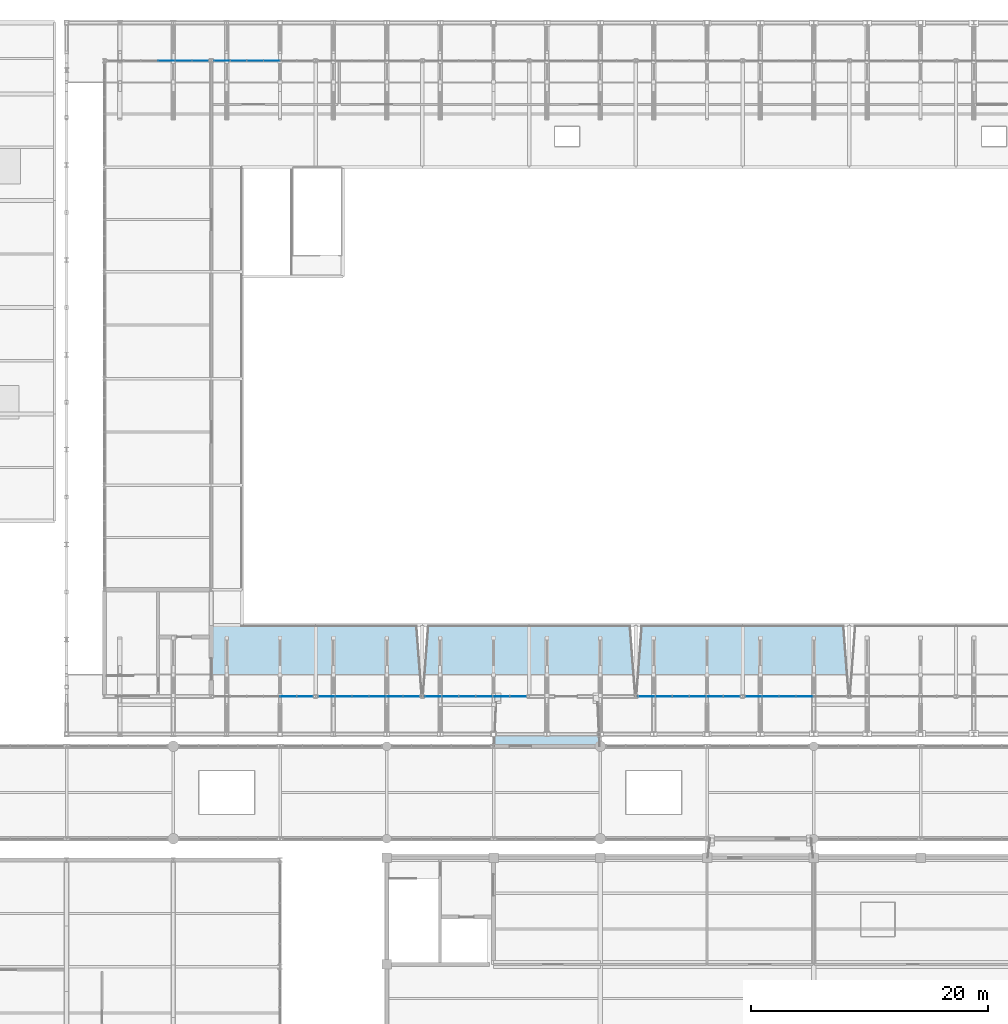
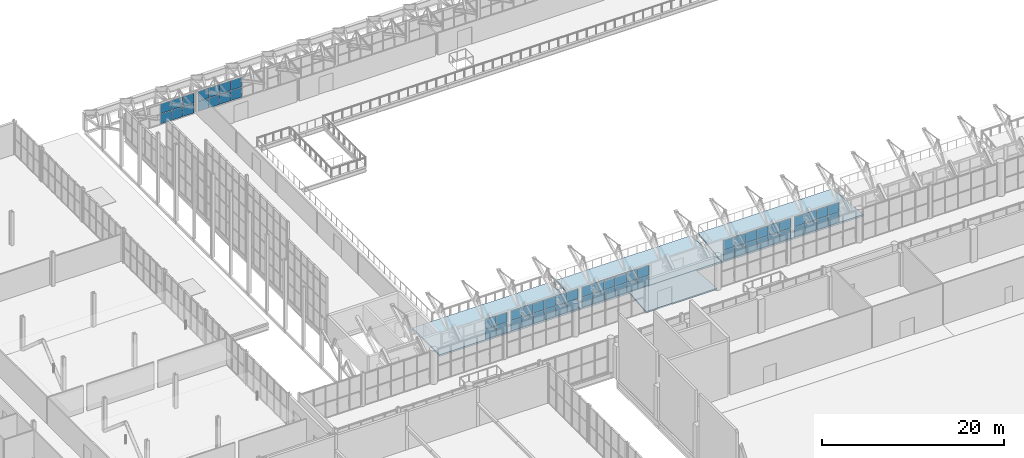
# One storey, part 98 of 134: 62 plates, 4 slabs, 7 elements without a shape of their own.
"""IFC4 building model written with IfcOpenShell, lengths in metres."""

from ifc_helpers import new_model, si_unit, direction, frame, origin, origin_2d, place, context, subcontext, project, spatial, polyline, rectangle, outline, extrude, material, layer, layer_set, type_object, element, aggregate, save


model = new_model("IFC4")

# Units and contexts
model_context = context("Model", 3, precision=1e-05, world=origin(), true_north=direction((0.0, 1.0)))
body_context = subcontext(model_context, "Body", "Model", "MODEL_VIEW")
ifc_project = project(units=[si_unit("LENGTHUNIT", "METRE"), si_unit("AREAUNIT", "SQUARE_METRE"), si_unit("VOLUMEUNIT", "CUBIC_METRE"), si_unit("PLANEANGLEUNIT", "RADIAN"), si_unit("MASSUNIT", "GRAM", prefix="KILO")], contexts=[model_context])

# Site, building, storey
site_placement = place(None, origin())
site = spatial("IfcSite", under=ifc_project, at=site_placement, CompositionType="ELEMENT")
building_placement = place(site_placement, origin())
building = spatial("IfcBuilding", under=site, at=building_placement, Name="Cazmaro Siding Exhibition Halls", CompositionType="ELEMENT")
storey_placement = place(building_placement, frame((0.0, 0.0, 12.0)))
storey = spatial("IfcBuildingStorey", under=building, at=storey_placement, Name="L02", CompositionType="ELEMENT", Elevation=12.0)

# Curtain wall, plates
ifc_material_1 = material(Name="Anodized Bronze Aluminum and Solar-Control Low-E Glazing", Category="aluminium")
ifc_layer_1 = layer(ifc_material_1, 0.159912109375)
ifc_layer_set_1 = layer_set([ifc_layer_1], Name="Anodized Bronze Aluminum and Solar-Control Low-E Glazing")
curtain_wall_type = type_object("IfcCurtainWallType", Name="CWS-04", PredefinedType="USERDEFINED", material=ifc_layer_set_1)
curtain_wall_1_placement = place(storey_placement, origin())
curtain_wall_1 = element("IfcCurtainWall", 1, at=curtain_wall_1_placement, inside=storey, type_object=curtain_wall_type, Name="Clerestory Curtain Wall CWS-04 CW-002", ObjectType="CLERESTORY CURTAIN WALL", PredefinedType="USERDEFINED")
ifc_material_2 = material(Name="Solar-Control Low-E Double Insulating Glass", Category="glass")
ifc_layer_2 = layer(ifc_material_2, 0.028076171875)
ifc_layer_set_2 = layer_set([ifc_layer_2], Name="Solar-Control Low-E Double Insulating Glass")
plate_type = type_object("IfcPlateType", Name="CWP-04", PredefinedType="CURTAIN_PANEL", material=ifc_layer_set_2)
plate_1_placement = place(storey_placement, frame((56.270751953125, 120.800048828125, 0.06005859375), z_axis=(0.0, 0.0, 1.0), x_axis=(-1.0, 0.0, 0.0)))
plate_1 = element("IfcPlate", 2, at=plate_1_placement, type_object=plate_type, Name="CWS-04 panel 1.1", PredefinedType="CURTAIN_PANEL", context=body_context, shape_type="SweptSolid", body=[
    extrude(rectangle(XDim=1.34423828125, YDim=0.028076171875, at=origin_2d()), origin(), (0.0, 0.0, 1.0), 1.31005859375),
])
plate_2_placement = place(storey_placement, frame((56.270751953125, 120.800048828125, 1.429931640625), z_axis=(0.0, 0.0, 1.0), x_axis=(-1.0, 0.0, 0.0)))
plate_2 = element("IfcPlate", 3, at=plate_2_placement, type_object=plate_type, Name="CWS-04 panel 1.2", PredefinedType="CURTAIN_PANEL", context=body_context, shape_type="SweptSolid", body=[
    extrude(rectangle(XDim=1.34423828125, YDim=0.028076171875, at=origin_2d()), origin(), (0.0, 0.0, 1.0), 1.31005859375),
])
plate_3_placement = place(storey_placement, frame((54.8515625, 120.800048828125, 0.06005859375), z_axis=(0.0, 0.0, 1.0), x_axis=(-1.0, 0.0, 0.0)))
plate_3 = element("IfcPlate", 4, at=plate_3_placement, type_object=plate_type, Name="CWS-04 panel 2.1", PredefinedType="CURTAIN_PANEL", context=body_context, shape_type="SweptSolid", body=[
    extrude(rectangle(XDim=1.374267578125, YDim=0.028076171875, at=origin_2d()), origin(), (0.0, 0.0, 1.0), 1.31005859375),
])
plate_4_placement = place(storey_placement, frame((54.8515625, 120.800048828125, 1.429931640625), z_axis=(0.0, 0.0, 1.0), x_axis=(-1.0, 0.0, 0.0)))
plate_4 = element("IfcPlate", 5, at=plate_4_placement, type_object=plate_type, Name="CWS-04 panel 2.2", PredefinedType="CURTAIN_PANEL", context=body_context, shape_type="SweptSolid", body=[
    extrude(rectangle(XDim=1.374267578125, YDim=0.028076171875, at=origin_2d()), origin(), (0.0, 0.0, 1.0), 1.31005859375),
])
plate_5_placement = place(storey_placement, frame((53.417236328125, 120.800048828125, 0.06005859375), z_axis=(0.0, 0.0, 1.0), x_axis=(-1.0, 0.0, 0.0)))
plate_5 = element("IfcPlate", 6, at=plate_5_placement, type_object=plate_type, Name="CWS-04 panel 3.1", PredefinedType="CURTAIN_PANEL", context=body_context, shape_type="SweptSolid", body=[
    extrude(rectangle(XDim=1.374267578125, YDim=0.028076171875, at=origin_2d()), origin(), (0.0, 0.0, 1.0), 1.31005859375),
])
plate_6_placement = place(storey_placement, frame((53.417236328125, 120.800048828125, 1.429931640625), z_axis=(0.0, 0.0, 1.0), x_axis=(-1.0, 0.0, 0.0)))
plate_6 = element("IfcPlate", 7, at=plate_6_placement, type_object=plate_type, Name="CWS-04 panel 3.2", PredefinedType="CURTAIN_PANEL", context=body_context, shape_type="SweptSolid", body=[
    extrude(rectangle(XDim=1.374267578125, YDim=0.028076171875, at=origin_2d()), origin(), (0.0, 0.0, 1.0), 1.31005859375),
])
aggregate(curtain_wall_1, [plate_1, plate_2, plate_3, plate_4, plate_5, plate_6])

curtain_wall_2_placement = place(storey_placement, origin())
curtain_wall_2 = element("IfcCurtainWall", 8, at=curtain_wall_2_placement, inside=storey, type_object=curtain_wall_type, Name="Clerestory Curtain Wall CWS-04 CW-005", ObjectType="CLERESTORY CURTAIN WALL", PredefinedType="USERDEFINED")
plate_7_placement = place(storey_placement, frame((63.701416015625, 67.199951171875, 0.06005859375), z_axis=(0.0, 0.0, 1.0), x_axis=(1.0, 0.0, 0.0)))
plate_7 = element("IfcPlate", 9, at=plate_7_placement, type_object=plate_type, Name="CWS-04 panel 5.1", PredefinedType="CURTAIN_PANEL", context=body_context, shape_type="SweptSolid", body=[
    extrude(rectangle(XDim=1.341064453125, YDim=0.028076171875, at=origin_2d()), origin(), (0.0, 0.0, 1.0), 1.31005859375),
])
plate_8_placement = place(storey_placement, frame((63.701416015625, 67.199951171875, 1.429931640625), z_axis=(0.0, 0.0, 1.0), x_axis=(1.0, 0.0, 0.0)))
plate_8 = element("IfcPlate", 10, at=plate_8_placement, type_object=plate_type, Name="CWS-04 panel 5.2", PredefinedType="CURTAIN_PANEL", context=body_context, shape_type="SweptSolid", body=[
    extrude(rectangle(XDim=1.341064453125, YDim=0.028076171875, at=origin_2d()), origin(), (0.0, 0.0, 1.0), 1.31005859375),
])
plate_9_placement = place(storey_placement, frame((65.08740234375, 67.199951171875, 0.06005859375), z_axis=(0.0, 0.0, 1.0), x_axis=(1.0, 0.0, 0.0)))
plate_9 = element("IfcPlate", 11, at=plate_9_placement, type_object=plate_type, Name="CWS-04 panel 6.1", PredefinedType="CURTAIN_PANEL", context=body_context, shape_type="SweptSolid", body=[
    extrude(rectangle(XDim=1.31103515625, YDim=0.028076171875, at=origin_2d()), origin(), (0.0, 0.0, 1.0), 1.31005859375),
])
plate_10_placement = place(storey_placement, frame((65.08740234375, 67.199951171875, 1.429931640625), z_axis=(0.0, 0.0, 1.0), x_axis=(1.0, 0.0, 0.0)))
plate_10 = element("IfcPlate", 12, at=plate_10_placement, type_object=plate_type, Name="CWS-04 panel 6.2", PredefinedType="CURTAIN_PANEL", context=body_context, shape_type="SweptSolid", body=[
    extrude(rectangle(XDim=1.31103515625, YDim=0.028076171875, at=origin_2d()), origin(), (0.0, 0.0, 1.0), 1.31005859375),
])
aggregate(curtain_wall_2, [plate_7, plate_8, plate_9, plate_10])

curtain_wall_3_placement = place(storey_placement, origin())
curtain_wall_3 = element("IfcCurtainWall", 13, at=curtain_wall_3_placement, inside=storey, type_object=curtain_wall_type, Name="Clerestory Curtain Wall CWS-04 CW-007", ObjectType="CLERESTORY CURTAIN WALL", PredefinedType="USERDEFINED")
plate_11_placement = place(storey_placement, frame((62.300537109375, 120.800048828125, 0.06005859375), z_axis=(0.0, 0.0, 1.0), x_axis=(-1.0, 0.0, 0.0)))
plate_11 = element("IfcPlate", 14, at=plate_11_placement, type_object=plate_type, Name="CWS-04 panel 3.1", PredefinedType="CURTAIN_PANEL", context=body_context, shape_type="SweptSolid", body=[
    extrude(rectangle(XDim=1.341064453125, YDim=0.028076171875, at=origin_2d()), origin(), (0.0, 0.0, 1.0), 1.31005859375),
])
plate_12_placement = place(storey_placement, frame((62.300537109375, 120.800048828125, 1.429931640625), z_axis=(0.0, 0.0, 1.0), x_axis=(-1.0, 0.0, 0.0)))
plate_12 = element("IfcPlate", 15, at=plate_12_placement, type_object=plate_type, Name="CWS-04 panel 3.2", PredefinedType="CURTAIN_PANEL", context=body_context, shape_type="SweptSolid", body=[
    extrude(rectangle(XDim=1.341064453125, YDim=0.028076171875, at=origin_2d()), origin(), (0.0, 0.0, 1.0), 1.31005859375),
])
plate_13_placement = place(storey_placement, frame((60.8994140625, 120.800048828125, 0.06005859375), z_axis=(0.0, 0.0, 1.0), x_axis=(-1.0, 0.0, 0.0)))
plate_13 = element("IfcPlate", 16, at=plate_13_placement, type_object=plate_type, Name="CWS-04 panel 4.1", PredefinedType="CURTAIN_PANEL", context=body_context, shape_type="SweptSolid", body=[
    extrude(rectangle(XDim=1.341064453125, YDim=0.028076171875, at=origin_2d()), origin(), (0.0, 0.0, 1.0), 1.31005859375),
])
plate_14_placement = place(storey_placement, frame((60.8994140625, 120.800048828125, 1.429931640625), z_axis=(0.0, 0.0, 1.0), x_axis=(-1.0, 0.0, 0.0)))
plate_14 = element("IfcPlate", 17, at=plate_14_placement, type_object=plate_type, Name="CWS-04 panel 4.2", PredefinedType="CURTAIN_PANEL", context=body_context, shape_type="SweptSolid", body=[
    extrude(rectangle(XDim=1.341064453125, YDim=0.028076171875, at=origin_2d()), origin(), (0.0, 0.0, 1.0), 1.31005859375),
])
plate_15_placement = place(storey_placement, frame((59.49853515625, 120.800048828125, 0.06005859375), z_axis=(0.0, 0.0, 1.0), x_axis=(-1.0, 0.0, 0.0)))
plate_15 = element("IfcPlate", 18, at=plate_15_placement, type_object=plate_type, Name="CWS-04 panel 5.1", PredefinedType="CURTAIN_PANEL", context=body_context, shape_type="SweptSolid", body=[
    extrude(rectangle(XDim=1.341064453125, YDim=0.028076171875, at=origin_2d()), origin(), (0.0, 0.0, 1.0), 1.31005859375),
])
plate_16_placement = place(storey_placement, frame((59.49853515625, 120.800048828125, 1.429931640625), z_axis=(0.0, 0.0, 1.0), x_axis=(-1.0, 0.0, 0.0)))
plate_16 = element("IfcPlate", 19, at=plate_16_placement, type_object=plate_type, Name="CWS-04 panel 5.2", PredefinedType="CURTAIN_PANEL", context=body_context, shape_type="SweptSolid", body=[
    extrude(rectangle(XDim=1.341064453125, YDim=0.028076171875, at=origin_2d()), origin(), (0.0, 0.0, 1.0), 1.31005859375),
])
plate_17_placement = place(storey_placement, frame((58.112548828125, 120.800048828125, 0.06005859375), z_axis=(0.0, 0.0, 1.0), x_axis=(-1.0, 0.0, 0.0)))
plate_17 = element("IfcPlate", 20, at=plate_17_placement, type_object=plate_type, Name="CWS-04 panel 6.1", PredefinedType="CURTAIN_PANEL", context=body_context, shape_type="SweptSolid", body=[
    extrude(rectangle(XDim=1.31103515625, YDim=0.028076171875, at=origin_2d()), origin(), (0.0, 0.0, 1.0), 1.31005859375),
])
plate_18_placement = place(storey_placement, frame((58.112548828125, 120.800048828125, 1.429931640625), z_axis=(0.0, 0.0, 1.0), x_axis=(-1.0, 0.0, 0.0)))
plate_18 = element("IfcPlate", 21, at=plate_18_placement, type_object=plate_type, Name="CWS-04 panel 6.2", PredefinedType="CURTAIN_PANEL", context=body_context, shape_type="SweptSolid", body=[
    extrude(rectangle(XDim=1.31103515625, YDim=0.028076171875, at=origin_2d()), origin(), (0.0, 0.0, 1.0), 1.31005859375),
])
aggregate(curtain_wall_3, [plate_11, plate_12, plate_13, plate_14, plate_15, plate_16, plate_17, plate_18])

curtain_wall_4_placement = place(storey_placement, origin())
curtain_wall_4 = element("IfcCurtainWall", 22, at=curtain_wall_4_placement, inside=storey, type_object=curtain_wall_type, Name="Clerestory Curtain Wall CWS-04 CW-008", ObjectType="CLERESTORY CURTAIN WALL", PredefinedType="USERDEFINED")
plate_19_placement = place(storey_placement, frame((66.92919921875, 67.199951171875, 0.06005859375), z_axis=(0.0, 0.0, 1.0), x_axis=(1.0, 0.0, 0.0)))
plate_19 = element("IfcPlate", 23, at=plate_19_placement, type_object=plate_type, Name="CWS-04 panel 1.1", PredefinedType="CURTAIN_PANEL", context=body_context, shape_type="SweptSolid", body=[
    extrude(rectangle(XDim=1.34423828125, YDim=0.028076171875, at=origin_2d()), origin(), (0.0, 0.0, 1.0), 1.31005859375),
])
plate_20_placement = place(storey_placement, frame((66.92919921875, 67.199951171875, 1.429931640625), z_axis=(0.0, 0.0, 1.0), x_axis=(1.0, 0.0, 0.0)))
plate_20 = element("IfcPlate", 24, at=plate_20_placement, type_object=plate_type, Name="CWS-04 panel 1.2", PredefinedType="CURTAIN_PANEL", context=body_context, shape_type="SweptSolid", body=[
    extrude(rectangle(XDim=1.34423828125, YDim=0.028076171875, at=origin_2d()), origin(), (0.0, 0.0, 1.0), 1.31005859375),
])
plate_21_placement = place(storey_placement, frame((68.348388671875, 67.199951171875, 0.06005859375), z_axis=(0.0, 0.0, 1.0), x_axis=(1.0, 0.0, 0.0)))
plate_21 = element("IfcPlate", 25, at=plate_21_placement, type_object=plate_type, Name="CWS-04 panel 2.1", PredefinedType="CURTAIN_PANEL", context=body_context, shape_type="SweptSolid", body=[
    extrude(rectangle(XDim=1.374267578125, YDim=0.028076171875, at=origin_2d()), origin(), (0.0, 0.0, 1.0), 1.31005859375),
])
plate_22_placement = place(storey_placement, frame((68.348388671875, 67.199951171875, 1.429931640625), z_axis=(0.0, 0.0, 1.0), x_axis=(1.0, 0.0, 0.0)))
plate_22 = element("IfcPlate", 26, at=plate_22_placement, type_object=plate_type, Name="CWS-04 panel 2.2", PredefinedType="CURTAIN_PANEL", context=body_context, shape_type="SweptSolid", body=[
    extrude(rectangle(XDim=1.374267578125, YDim=0.028076171875, at=origin_2d()), origin(), (0.0, 0.0, 1.0), 1.31005859375),
])
plate_23_placement = place(storey_placement, frame((69.78271484375, 67.199951171875, 0.06005859375), z_axis=(0.0, 0.0, 1.0), x_axis=(1.0, 0.0, 0.0)))
plate_23 = element("IfcPlate", 27, at=plate_23_placement, type_object=plate_type, Name="CWS-04 panel 3.1", PredefinedType="CURTAIN_PANEL", context=body_context, shape_type="SweptSolid", body=[
    extrude(rectangle(XDim=1.374267578125, YDim=0.028076171875, at=origin_2d()), origin(), (0.0, 0.0, 1.0), 1.31005859375),
])
plate_24_placement = place(storey_placement, frame((69.78271484375, 67.199951171875, 1.429931640625), z_axis=(0.0, 0.0, 1.0), x_axis=(1.0, 0.0, 0.0)))
plate_24 = element("IfcPlate", 28, at=plate_24_placement, type_object=plate_type, Name="CWS-04 panel 3.2", PredefinedType="CURTAIN_PANEL", context=body_context, shape_type="SweptSolid", body=[
    extrude(rectangle(XDim=1.374267578125, YDim=0.028076171875, at=origin_2d()), origin(), (0.0, 0.0, 1.0), 1.31005859375),
])
plate_25_placement = place(storey_placement, frame((71.21728515625, 67.199951171875, 0.06005859375), z_axis=(0.0, 0.0, 1.0), x_axis=(1.0, 0.0, 0.0)))
plate_25 = element("IfcPlate", 29, at=plate_25_placement, type_object=plate_type, Name="CWS-04 panel 4.1", PredefinedType="CURTAIN_PANEL", context=body_context, shape_type="SweptSolid", body=[
    extrude(rectangle(XDim=1.374267578125, YDim=0.028076171875, at=origin_2d()), origin(), (0.0, 0.0, 1.0), 1.31005859375),
])
plate_26_placement = place(storey_placement, frame((71.21728515625, 67.199951171875, 1.429931640625), z_axis=(0.0, 0.0, 1.0), x_axis=(1.0, 0.0, 0.0)))
plate_26 = element("IfcPlate", 30, at=plate_26_placement, type_object=plate_type, Name="CWS-04 panel 4.2", PredefinedType="CURTAIN_PANEL", context=body_context, shape_type="SweptSolid", body=[
    extrude(rectangle(XDim=1.374267578125, YDim=0.028076171875, at=origin_2d()), origin(), (0.0, 0.0, 1.0), 1.31005859375),
])
plate_27_placement = place(storey_placement, frame((72.651611328125, 67.199951171875, 0.06005859375), z_axis=(0.0, 0.0, 1.0), x_axis=(1.0, 0.0, 0.0)))
plate_27 = element("IfcPlate", 31, at=plate_27_placement, type_object=plate_type, Name="CWS-04 panel 5.1", PredefinedType="CURTAIN_PANEL", context=body_context, shape_type="SweptSolid", body=[
    extrude(rectangle(XDim=1.374267578125, YDim=0.028076171875, at=origin_2d()), origin(), (0.0, 0.0, 1.0), 1.31005859375),
])
plate_28_placement = place(storey_placement, frame((72.651611328125, 67.199951171875, 1.429931640625), z_axis=(0.0, 0.0, 1.0), x_axis=(1.0, 0.0, 0.0)))
plate_28 = element("IfcPlate", 32, at=plate_28_placement, type_object=plate_type, Name="CWS-04 panel 5.2", PredefinedType="CURTAIN_PANEL", context=body_context, shape_type="SweptSolid", body=[
    extrude(rectangle(XDim=1.374267578125, YDim=0.028076171875, at=origin_2d()), origin(), (0.0, 0.0, 1.0), 1.31005859375),
])
plate_29_placement = place(storey_placement, frame((74.07080078125, 67.199951171875, 0.06005859375), z_axis=(0.0, 0.0, 1.0), x_axis=(1.0, 0.0, 0.0)))
plate_29 = element("IfcPlate", 33, at=plate_29_placement, type_object=plate_type, Name="CWS-04 panel 6.1", PredefinedType="CURTAIN_PANEL", context=body_context, shape_type="SweptSolid", body=[
    extrude(rectangle(XDim=1.34423828125, YDim=0.028076171875, at=origin_2d()), origin(), (0.0, 0.0, 1.0), 1.31005859375),
])
plate_30_placement = place(storey_placement, frame((74.07080078125, 67.199951171875, 1.429931640625), z_axis=(0.0, 0.0, 1.0), x_axis=(1.0, 0.0, 0.0)))
plate_30 = element("IfcPlate", 34, at=plate_30_placement, type_object=plate_type, Name="CWS-04 panel 6.2", PredefinedType="CURTAIN_PANEL", context=body_context, shape_type="SweptSolid", body=[
    extrude(rectangle(XDim=1.34423828125, YDim=0.028076171875, at=origin_2d()), origin(), (0.0, 0.0, 1.0), 1.31005859375),
])
aggregate(curtain_wall_4, [plate_19, plate_20, plate_21, plate_22, plate_23, plate_24, plate_25, plate_26, plate_27, plate_28, plate_29, plate_30])

curtain_wall_5_placement = place(storey_placement, origin())
curtain_wall_5 = element("IfcCurtainWall", 35, at=curtain_wall_5_placement, inside=storey, type_object=curtain_wall_type, Name="Clerestory Curtain Wall CWS-04 CW-013", ObjectType="CLERESTORY CURTAIN WALL", PredefinedType="USERDEFINED")
plate_31_placement = place(storey_placement, frame((75.92919921875, 67.199951171875, 0.06005859375), z_axis=(0.0, 0.0, 1.0), x_axis=(1.0, 0.0, 0.0)))
plate_31 = element("IfcPlate", 36, at=plate_31_placement, type_object=plate_type, Name="CWS-04 panel 1.1", PredefinedType="CURTAIN_PANEL", context=body_context, shape_type="SweptSolid", body=[
    extrude(rectangle(XDim=1.34423828125, YDim=0.028076171875, at=origin_2d()), origin(), (0.0, 0.0, 1.0), 1.31005859375),
])
plate_32_placement = place(storey_placement, frame((75.92919921875, 67.199951171875, 1.429931640625), z_axis=(0.0, 0.0, 1.0), x_axis=(1.0, 0.0, 0.0)))
plate_32 = element("IfcPlate", 37, at=plate_32_placement, type_object=plate_type, Name="CWS-04 panel 1.2", PredefinedType="CURTAIN_PANEL", context=body_context, shape_type="SweptSolid", body=[
    extrude(rectangle(XDim=1.34423828125, YDim=0.028076171875, at=origin_2d()), origin(), (0.0, 0.0, 1.0), 1.31005859375),
])
plate_33_placement = place(storey_placement, frame((77.348388671875, 67.199951171875, 0.06005859375), z_axis=(0.0, 0.0, 1.0), x_axis=(1.0, 0.0, 0.0)))
plate_33 = element("IfcPlate", 38, at=plate_33_placement, type_object=plate_type, Name="CWS-04 panel 2.1", PredefinedType="CURTAIN_PANEL", context=body_context, shape_type="SweptSolid", body=[
    extrude(rectangle(XDim=1.374267578125, YDim=0.028076171875, at=origin_2d()), origin(), (0.0, 0.0, 1.0), 1.31005859375),
])
plate_34_placement = place(storey_placement, frame((77.348388671875, 67.199951171875, 1.429931640625), z_axis=(0.0, 0.0, 1.0), x_axis=(1.0, 0.0, 0.0)))
plate_34 = element("IfcPlate", 39, at=plate_34_placement, type_object=plate_type, Name="CWS-04 panel 2.2", PredefinedType="CURTAIN_PANEL", context=body_context, shape_type="SweptSolid", body=[
    extrude(rectangle(XDim=1.374267578125, YDim=0.028076171875, at=origin_2d()), origin(), (0.0, 0.0, 1.0), 1.31005859375),
])
plate_35_placement = place(storey_placement, frame((78.78271484375, 67.199951171875, 0.06005859375), z_axis=(0.0, 0.0, 1.0), x_axis=(1.0, 0.0, 0.0)))
plate_35 = element("IfcPlate", 40, at=plate_35_placement, type_object=plate_type, Name="CWS-04 panel 3.1", PredefinedType="CURTAIN_PANEL", context=body_context, shape_type="SweptSolid", body=[
    extrude(rectangle(XDim=1.374267578125, YDim=0.028076171875, at=origin_2d()), origin(), (0.0, 0.0, 1.0), 1.31005859375),
])
plate_36_placement = place(storey_placement, frame((78.78271484375, 67.199951171875, 1.429931640625), z_axis=(0.0, 0.0, 1.0), x_axis=(1.0, 0.0, 0.0)))
plate_36 = element("IfcPlate", 41, at=plate_36_placement, type_object=plate_type, Name="CWS-04 panel 3.2", PredefinedType="CURTAIN_PANEL", context=body_context, shape_type="SweptSolid", body=[
    extrude(rectangle(XDim=1.374267578125, YDim=0.028076171875, at=origin_2d()), origin(), (0.0, 0.0, 1.0), 1.31005859375),
])
plate_37_placement = place(storey_placement, frame((80.21728515625, 67.199951171875, 0.06005859375), z_axis=(0.0, 0.0, 1.0), x_axis=(1.0, 0.0, 0.0)))
plate_37 = element("IfcPlate", 42, at=plate_37_placement, type_object=plate_type, Name="CWS-04 panel 4.1", PredefinedType="CURTAIN_PANEL", context=body_context, shape_type="SweptSolid", body=[
    extrude(rectangle(XDim=1.374267578125, YDim=0.028076171875, at=origin_2d()), origin(), (0.0, 0.0, 1.0), 1.31005859375),
])
plate_38_placement = place(storey_placement, frame((80.21728515625, 67.199951171875, 1.429931640625), z_axis=(0.0, 0.0, 1.0), x_axis=(1.0, 0.0, 0.0)))
plate_38 = element("IfcPlate", 43, at=plate_38_placement, type_object=plate_type, Name="CWS-04 panel 4.2", PredefinedType="CURTAIN_PANEL", context=body_context, shape_type="SweptSolid", body=[
    extrude(rectangle(XDim=1.374267578125, YDim=0.028076171875, at=origin_2d()), origin(), (0.0, 0.0, 1.0), 1.31005859375),
])
plate_39_placement = place(storey_placement, frame((81.651611328125, 67.199951171875, 0.06005859375), z_axis=(0.0, 0.0, 1.0), x_axis=(1.0, 0.0, 0.0)))
plate_39 = element("IfcPlate", 44, at=plate_39_placement, type_object=plate_type, Name="CWS-04 panel 5.1", PredefinedType="CURTAIN_PANEL", context=body_context, shape_type="SweptSolid", body=[
    extrude(rectangle(XDim=1.374267578125, YDim=0.028076171875, at=origin_2d()), origin(), (0.0, 0.0, 1.0), 1.31005859375),
])
plate_40_placement = place(storey_placement, frame((81.651611328125, 67.199951171875, 1.429931640625), z_axis=(0.0, 0.0, 1.0), x_axis=(1.0, 0.0, 0.0)))
plate_40 = element("IfcPlate", 45, at=plate_40_placement, type_object=plate_type, Name="CWS-04 panel 5.2", PredefinedType="CURTAIN_PANEL", context=body_context, shape_type="SweptSolid", body=[
    extrude(rectangle(XDim=1.374267578125, YDim=0.028076171875, at=origin_2d()), origin(), (0.0, 0.0, 1.0), 1.31005859375),
])
plate_41_placement = place(storey_placement, frame((83.07080078125, 67.199951171875, 0.06005859375), z_axis=(0.0, 0.0, 1.0), x_axis=(1.0, 0.0, 0.0)))
plate_41 = element("IfcPlate", 46, at=plate_41_placement, type_object=plate_type, Name="CWS-04 panel 6.1", PredefinedType="CURTAIN_PANEL", context=body_context, shape_type="SweptSolid", body=[
    extrude(rectangle(XDim=1.34423828125, YDim=0.028076171875, at=origin_2d()), origin(), (0.0, 0.0, 1.0), 1.31005859375),
])
plate_42_placement = place(storey_placement, frame((83.07080078125, 67.199951171875, 1.429931640625), z_axis=(0.0, 0.0, 1.0), x_axis=(1.0, 0.0, 0.0)))
plate_42 = element("IfcPlate", 47, at=plate_42_placement, type_object=plate_type, Name="CWS-04 panel 6.2", PredefinedType="CURTAIN_PANEL", context=body_context, shape_type="SweptSolid", body=[
    extrude(rectangle(XDim=1.34423828125, YDim=0.028076171875, at=origin_2d()), origin(), (0.0, 0.0, 1.0), 1.31005859375),
])
aggregate(curtain_wall_5, [plate_31, plate_32, plate_33, plate_34, plate_35, plate_36, plate_37, plate_38, plate_39, plate_40, plate_41, plate_42])

curtain_wall_6_placement = place(storey_placement, origin())
curtain_wall_6 = element("IfcCurtainWall", 48, at=curtain_wall_6_placement, inside=storey, type_object=curtain_wall_type, Name="Clerestory Curtain Wall CWS-04 CW-021", ObjectType="CLERESTORY CURTAIN WALL", PredefinedType="USERDEFINED")
plate_43_placement = place(storey_placement, frame((93.92919921875, 67.199951171875, 0.06005859375), z_axis=(0.0, 0.0, 1.0), x_axis=(1.0, 0.0, 0.0)))
plate_43 = element("IfcPlate", 49, at=plate_43_placement, type_object=plate_type, Name="CWS-04 panel 1.1", PredefinedType="CURTAIN_PANEL", context=body_context, shape_type="SweptSolid", body=[
    extrude(rectangle(XDim=1.34423828125, YDim=0.028076171875, at=origin_2d()), origin(), (0.0, 0.0, 1.0), 1.31005859375),
])
plate_44_placement = place(storey_placement, frame((93.92919921875, 67.199951171875, 1.429931640625), z_axis=(0.0, 0.0, 1.0), x_axis=(1.0, 0.0, 0.0)))
plate_44 = element("IfcPlate", 50, at=plate_44_placement, type_object=plate_type, Name="CWS-04 panel 1.2", PredefinedType="CURTAIN_PANEL", context=body_context, shape_type="SweptSolid", body=[
    extrude(rectangle(XDim=1.34423828125, YDim=0.028076171875, at=origin_2d()), origin(), (0.0, 0.0, 1.0), 1.31005859375),
])
plate_45_placement = place(storey_placement, frame((95.348388671875, 67.199951171875, 0.06005859375), z_axis=(0.0, 0.0, 1.0), x_axis=(1.0, 0.0, 0.0)))
plate_45 = element("IfcPlate", 51, at=plate_45_placement, type_object=plate_type, Name="CWS-04 panel 2.1", PredefinedType="CURTAIN_PANEL", context=body_context, shape_type="SweptSolid", body=[
    extrude(rectangle(XDim=1.374267578125, YDim=0.028076171875, at=origin_2d()), origin(), (0.0, 0.0, 1.0), 1.31005859375),
])
plate_46_placement = place(storey_placement, frame((95.348388671875, 67.199951171875, 1.429931640625), z_axis=(0.0, 0.0, 1.0), x_axis=(1.0, 0.0, 0.0)))
plate_46 = element("IfcPlate", 52, at=plate_46_placement, type_object=plate_type, Name="CWS-04 panel 2.2", PredefinedType="CURTAIN_PANEL", context=body_context, shape_type="SweptSolid", body=[
    extrude(rectangle(XDim=1.374267578125, YDim=0.028076171875, at=origin_2d()), origin(), (0.0, 0.0, 1.0), 1.31005859375),
])
plate_47_placement = place(storey_placement, frame((96.78271484375, 67.199951171875, 0.06005859375), z_axis=(0.0, 0.0, 1.0), x_axis=(1.0, 0.0, 0.0)))
plate_47 = element("IfcPlate", 53, at=plate_47_placement, type_object=plate_type, Name="CWS-04 panel 3.1", PredefinedType="CURTAIN_PANEL", context=body_context, shape_type="SweptSolid", body=[
    extrude(rectangle(XDim=1.374267578125, YDim=0.028076171875, at=origin_2d()), origin(), (0.0, 0.0, 1.0), 1.31005859375),
])
plate_48_placement = place(storey_placement, frame((96.78271484375, 67.199951171875, 1.429931640625), z_axis=(0.0, 0.0, 1.0), x_axis=(1.0, 0.0, 0.0)))
plate_48 = element("IfcPlate", 54, at=plate_48_placement, type_object=plate_type, Name="CWS-04 panel 3.2", PredefinedType="CURTAIN_PANEL", context=body_context, shape_type="SweptSolid", body=[
    extrude(rectangle(XDim=1.374267578125, YDim=0.028076171875, at=origin_2d()), origin(), (0.0, 0.0, 1.0), 1.31005859375),
])
plate_49_placement = place(storey_placement, frame((98.21728515625, 67.199951171875, 0.06005859375), z_axis=(0.0, 0.0, 1.0), x_axis=(1.0, 0.0, 0.0)))
plate_49 = element("IfcPlate", 55, at=plate_49_placement, type_object=plate_type, Name="CWS-04 panel 4.1", PredefinedType="CURTAIN_PANEL", context=body_context, shape_type="SweptSolid", body=[
    extrude(rectangle(XDim=1.374267578125, YDim=0.028076171875, at=origin_2d()), origin(), (0.0, 0.0, 1.0), 1.31005859375),
])
plate_50_placement = place(storey_placement, frame((98.21728515625, 67.199951171875, 1.429931640625), z_axis=(0.0, 0.0, 1.0), x_axis=(1.0, 0.0, 0.0)))
plate_50 = element("IfcPlate", 56, at=plate_50_placement, type_object=plate_type, Name="CWS-04 panel 4.2", PredefinedType="CURTAIN_PANEL", context=body_context, shape_type="SweptSolid", body=[
    extrude(rectangle(XDim=1.374267578125, YDim=0.028076171875, at=origin_2d()), origin(), (0.0, 0.0, 1.0), 1.31005859375),
])
plate_51_placement = place(storey_placement, frame((99.651611328125, 67.199951171875, 0.06005859375), z_axis=(0.0, 0.0, 1.0), x_axis=(1.0, 0.0, 0.0)))
plate_51 = element("IfcPlate", 57, at=plate_51_placement, type_object=plate_type, Name="CWS-04 panel 5.1", PredefinedType="CURTAIN_PANEL", context=body_context, shape_type="SweptSolid", body=[
    extrude(rectangle(XDim=1.374267578125, YDim=0.028076171875, at=origin_2d()), origin(), (0.0, 0.0, 1.0), 1.31005859375),
])
plate_52_placement = place(storey_placement, frame((99.651611328125, 67.199951171875, 1.429931640625), z_axis=(0.0, 0.0, 1.0), x_axis=(1.0, 0.0, 0.0)))
plate_52 = element("IfcPlate", 58, at=plate_52_placement, type_object=plate_type, Name="CWS-04 panel 5.2", PredefinedType="CURTAIN_PANEL", context=body_context, shape_type="SweptSolid", body=[
    extrude(rectangle(XDim=1.374267578125, YDim=0.028076171875, at=origin_2d()), origin(), (0.0, 0.0, 1.0), 1.31005859375),
])
plate_53_placement = place(storey_placement, frame((101.07080078125, 67.199951171875, 0.06005859375), z_axis=(0.0, 0.0, 1.0), x_axis=(1.0, 0.0, 0.0)))
plate_53 = element("IfcPlate", 59, at=plate_53_placement, type_object=plate_type, Name="CWS-04 panel 6.1", PredefinedType="CURTAIN_PANEL", context=body_context, shape_type="SweptSolid", body=[
    extrude(rectangle(XDim=1.34423828125, YDim=0.028076171875, at=origin_2d()), origin(), (0.0, 0.0, 1.0), 1.31005859375),
])
plate_54_placement = place(storey_placement, frame((101.07080078125, 67.199951171875, 1.429931640625), z_axis=(0.0, 0.0, 1.0), x_axis=(1.0, 0.0, 0.0)))
plate_54 = element("IfcPlate", 60, at=plate_54_placement, type_object=plate_type, Name="CWS-04 panel 6.2", PredefinedType="CURTAIN_PANEL", context=body_context, shape_type="SweptSolid", body=[
    extrude(rectangle(XDim=1.34423828125, YDim=0.028076171875, at=origin_2d()), origin(), (0.0, 0.0, 1.0), 1.31005859375),
])
aggregate(curtain_wall_6, [plate_43, plate_44, plate_45, plate_46, plate_47, plate_48, plate_49, plate_50, plate_51, plate_52, plate_53, plate_54])

curtain_wall_7_placement = place(storey_placement, origin())
curtain_wall_7 = element("IfcCurtainWall", 61, at=curtain_wall_7_placement, inside=storey, type_object=curtain_wall_type, Name="Clerestory Curtain Wall CWS-04 CW-024", ObjectType="CLERESTORY CURTAIN WALL", PredefinedType="USERDEFINED")
plate_55_placement = place(storey_placement, frame((102.92919921875, 67.199951171875, 0.06005859375), z_axis=(0.0, 0.0, 1.0), x_axis=(1.0, 0.0, 0.0)))
plate_55 = element("IfcPlate", 62, at=plate_55_placement, type_object=plate_type, Name="CWS-04 panel 1.1", PredefinedType="CURTAIN_PANEL", context=body_context, shape_type="SweptSolid", body=[
    extrude(rectangle(XDim=1.34423828125, YDim=0.028076171875, at=origin_2d()), origin(), (0.0, 0.0, 1.0), 1.31005859375),
])
plate_56_placement = place(storey_placement, frame((102.92919921875, 67.199951171875, 1.429931640625), z_axis=(0.0, 0.0, 1.0), x_axis=(1.0, 0.0, 0.0)))
plate_56 = element("IfcPlate", 63, at=plate_56_placement, type_object=plate_type, Name="CWS-04 panel 1.2", PredefinedType="CURTAIN_PANEL", context=body_context, shape_type="SweptSolid", body=[
    extrude(rectangle(XDim=1.34423828125, YDim=0.028076171875, at=origin_2d()), origin(), (0.0, 0.0, 1.0), 1.31005859375),
])
plate_57_placement = place(storey_placement, frame((104.348388671875, 67.199951171875, 0.06005859375), z_axis=(0.0, 0.0, 1.0), x_axis=(1.0, 0.0, 0.0)))
plate_57 = element("IfcPlate", 64, at=plate_57_placement, type_object=plate_type, Name="CWS-04 panel 2.1", PredefinedType="CURTAIN_PANEL", context=body_context, shape_type="SweptSolid", body=[
    extrude(rectangle(XDim=1.374267578125, YDim=0.028076171875, at=origin_2d()), origin(), (0.0, 0.0, 1.0), 1.31005859375),
])
plate_58_placement = place(storey_placement, frame((104.348388671875, 67.199951171875, 1.429931640625), z_axis=(0.0, 0.0, 1.0), x_axis=(1.0, 0.0, 0.0)))
plate_58 = element("IfcPlate", 65, at=plate_58_placement, type_object=plate_type, Name="CWS-04 panel 2.2", PredefinedType="CURTAIN_PANEL", context=body_context, shape_type="SweptSolid", body=[
    extrude(rectangle(XDim=1.374267578125, YDim=0.028076171875, at=origin_2d()), origin(), (0.0, 0.0, 1.0), 1.31005859375),
])
plate_59_placement = place(storey_placement, frame((105.78271484375, 67.199951171875, 0.06005859375), z_axis=(0.0, 0.0, 1.0), x_axis=(1.0, 0.0, 0.0)))
plate_59 = element("IfcPlate", 66, at=plate_59_placement, type_object=plate_type, Name="CWS-04 panel 3.1", PredefinedType="CURTAIN_PANEL", context=body_context, shape_type="SweptSolid", body=[
    extrude(rectangle(XDim=1.374267578125, YDim=0.028076171875, at=origin_2d()), origin(), (0.0, 0.0, 1.0), 1.31005859375),
])
plate_60_placement = place(storey_placement, frame((105.78271484375, 67.199951171875, 1.429931640625), z_axis=(0.0, 0.0, 1.0), x_axis=(1.0, 0.0, 0.0)))
plate_60 = element("IfcPlate", 67, at=plate_60_placement, type_object=plate_type, Name="CWS-04 panel 3.2", PredefinedType="CURTAIN_PANEL", context=body_context, shape_type="SweptSolid", body=[
    extrude(rectangle(XDim=1.374267578125, YDim=0.028076171875, at=origin_2d()), origin(), (0.0, 0.0, 1.0), 1.31005859375),
])
plate_61_placement = place(storey_placement, frame((107.21728515625, 67.199951171875, 0.06005859375), z_axis=(0.0, 0.0, 1.0), x_axis=(1.0, 0.0, 0.0)))
plate_61 = element("IfcPlate", 68, at=plate_61_placement, type_object=plate_type, Name="CWS-04 panel 4.1", PredefinedType="CURTAIN_PANEL", context=body_context, shape_type="SweptSolid", body=[
    extrude(rectangle(XDim=1.374267578125, YDim=0.028076171875, at=origin_2d()), origin(), (0.0, 0.0, 1.0), 1.31005859375),
])
plate_62_placement = place(storey_placement, frame((107.21728515625, 67.199951171875, 1.429931640625), z_axis=(0.0, 0.0, 1.0), x_axis=(1.0, 0.0, 0.0)))
plate_62 = element("IfcPlate", 69, at=plate_62_placement, type_object=plate_type, Name="CWS-04 panel 4.2", PredefinedType="CURTAIN_PANEL", context=body_context, shape_type="SweptSolid", body=[
    extrude(rectangle(XDim=1.374267578125, YDim=0.028076171875, at=origin_2d()), origin(), (0.0, 0.0, 1.0), 1.31005859375),
])
aggregate(curtain_wall_7, [plate_55, plate_56, plate_57, plate_58, plate_59, plate_60, plate_61, plate_62])

# Slabs
ifc_material_3 = material(Name="Concrete f'c 35 MPa", Category="concrete")
ifc_layer_3 = layer(ifc_material_3, 0.219970703125)
ifc_layer_set_3 = layer_set([ifc_layer_3], Name="Concrete f'c 35 MPa")
slab_type_1 = type_object("IfcSlabType", Name="FS-01", PredefinedType="FLOOR", material=ifc_layer_set_3)
slab_1_placement = place(storey_placement, frame((0.0, 0.0, -0.219970703125)))
element("IfcSlab", 70, at=slab_1_placement, inside=storey, type_object=slab_type_1, Name="Hall A South Exhibitor Gallery Bay 7 L02 FS-01 SLB-0096", PredefinedType="FLOOR", context=body_context, shape_type="SweptSolid", body=[
    extrude(outline(polyline([(57.199951171875, 67.199951171875), (75.0, 67.199951171875), (74.5, 73.199951171875), (57.199951171875, 73.199951171875), (57.199951171875, 67.199951171875)])), origin(), (0.0, 0.0, 1.0), 0.219970703125),
])
slab_2_placement = place(storey_placement, frame((0.0, 0.0, -0.219970703125)))
element("IfcSlab", 71, at=slab_2_placement, inside=storey, type_object=slab_type_1, Name="Hall A South Exhibitor Gallery Bay 8 L02 FS-01 SLB-0097", PredefinedType="FLOOR", context=body_context, shape_type="SweptSolid", body=[
    extrude(outline(polyline([(75.0, 67.199951171875), (93.0, 67.199951171875), (92.5, 73.199951171875), (75.5, 73.199951171875), (75.0, 67.199951171875)])), origin(), (0.0, 0.0, 1.0), 0.219970703125),
])
slab_3_placement = place(storey_placement, frame((0.0, 0.0, -0.219970703125)))
element("IfcSlab", 72, at=slab_3_placement, inside=storey, type_object=slab_type_1, Name="Hall A South Exhibitor Gallery Bay 9 L02 FS-01 SLB-0098", PredefinedType="FLOOR", context=body_context, shape_type="SweptSolid", body=[
    extrude(outline(polyline([(93.0, 67.199951171875), (111.0, 67.199951171875), (110.5, 73.199951171875), (93.5, 73.199951171875), (93.0, 67.199951171875)])), origin(), (0.0, 0.0, 1.0), 0.219970703125),
])
ifc_material_4 = material(Name="Concrete f'c 35 MPa", Category="concrete")
ifc_layer_4 = layer(ifc_material_4, 0.18994140625)
ifc_layer_set_4 = layer_set([ifc_layer_4], Name="Concrete f'c 35 MPa")
slab_type_2 = type_object("IfcSlabType", Name="FS-04", PredefinedType="FLOOR", material=ifc_layer_set_4)
slab_4_placement = place(storey_placement, frame((0.0, 0.0, -0.18994140625)))
element("IfcSlab", 73, at=slab_4_placement, inside=storey, type_object=slab_type_2, Name="Concourse Sliding Bridge SB-01 L02 FS-04 SLB-0047", PredefinedType="FLOOR", context=body_context, shape_type="SweptSolid", body=[
    extrude(outline(polyline([(81.0, 63.0), (90.0, 63.0), (89.75, 67.199951171875), (81.25, 67.199951171875), (81.0, 63.0)])), origin(), (0.0, 0.0, 1.0), 0.18994140625),
])

save(model, "model.ifc")
